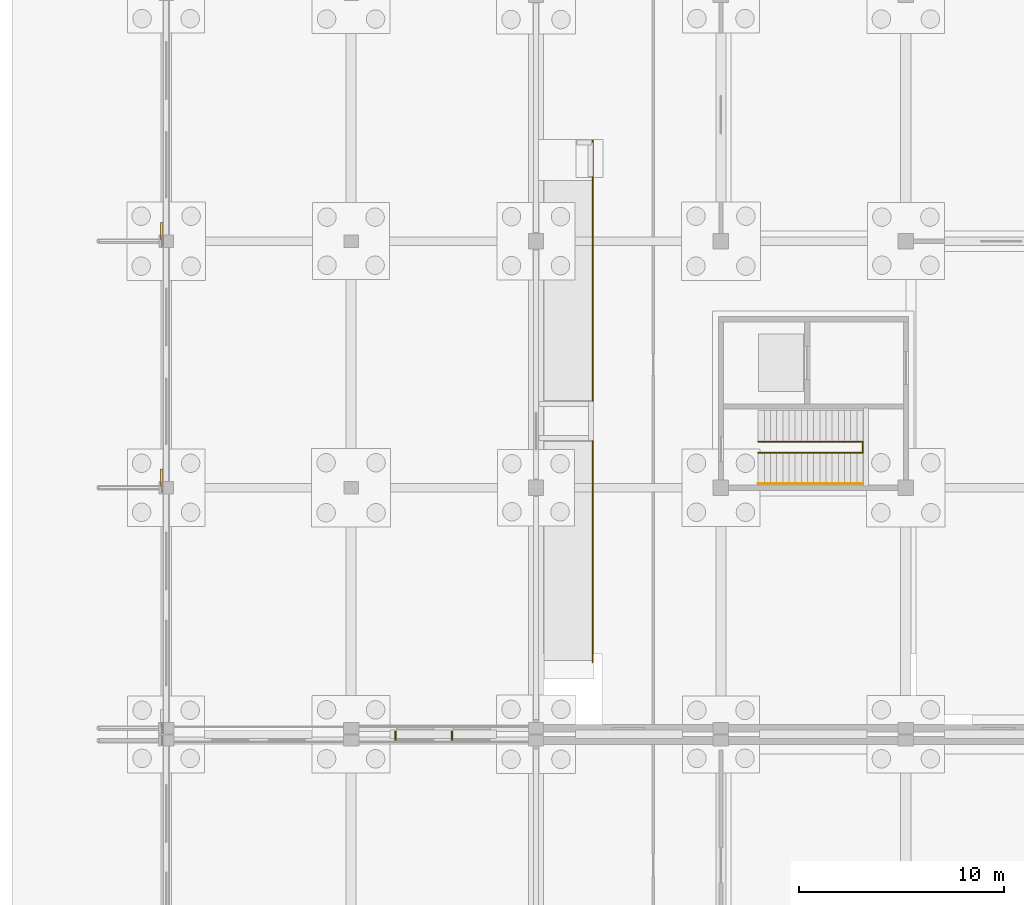
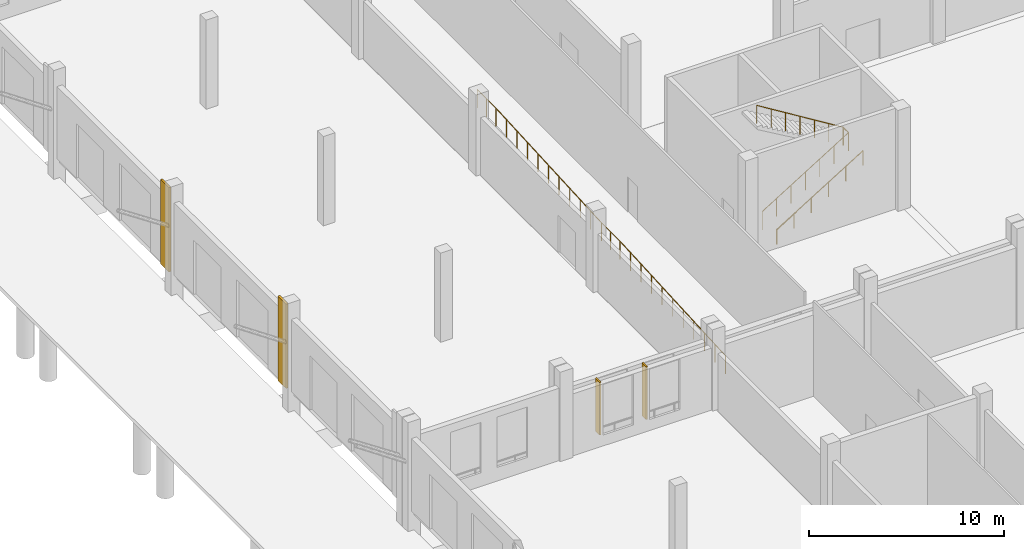
# One storey, part 85 of 99: 6 railings, 2 coverings, 2 shading devices.
"""IFC4 building model written with IfcOpenShell, lengths in metres."""

from ifc_helpers import new_model, si_unit, direction, frame, origin, origin_2d, place, context, subcontext, project, spatial, rectangle, circle, extrude, material, layer, layer_set, type_object, element, save


model = new_model("IFC4")

# Units and contexts
model_context = context("Model", 3, precision=1e-05, world=origin(), true_north=direction((0.0, 1.0)))
body_context = subcontext(model_context, "Body", "Model", "MODEL_VIEW")
ifc_project = project(units=[si_unit("LENGTHUNIT", "METRE"), si_unit("AREAUNIT", "SQUARE_METRE"), si_unit("VOLUMEUNIT", "CUBIC_METRE"), si_unit("PLANEANGLEUNIT", "RADIAN"), si_unit("MASSUNIT", "GRAM", prefix="KILO")], contexts=[model_context])

# Site, building, storey
site_placement = place(None, origin())
site = spatial("IfcSite", under=ifc_project, at=site_placement, CompositionType="ELEMENT")
building_placement = place(site_placement, origin())
building = spatial("IfcBuilding", under=site, at=building_placement, Name="Zacnel Wholesale Market", CompositionType="ELEMENT")
storey_placement = place(building_placement, origin())
storey = spatial("IfcBuildingStorey", under=building, at=storey_placement, Name="L01", CompositionType="ELEMENT", Elevation=0.0)

# Coverings
ifc_material_1 = material(Name="Honed Yucatan Maya cream limestone", Category="masonry")
ifc_layer = layer(ifc_material_1, 0.090087890625)
ifc_layer_set = layer_set([ifc_layer], Name="Honed Yucatan Maya cream limestone")
covering_type = type_object("IfcCoveringType", Name="COV-CLAD-FRET", PredefinedType="CLADDING", material=ifc_layer_set)
for number, where, z_axis, x_axis, name in (
    (1, (-0.2099609375, 108.47998046875, 1.2451171875), (0.0, 0.0, 1.0), (0.0, 1.0, 0.0), "Fluted Mayan-Deco limestone pilaster L01-0013"),
    (2, (-0.2099609375, 120.47998046875, 1.2451171875), (0.0, 0.0, 1.0), (0.0, 1.0, 0.0), "Fluted Mayan-Deco limestone pilaster L01-0014"),
):
    element("IfcCovering", number, at=place(storey_placement, frame(where, z_axis=z_axis, x_axis=x_axis)), inside=storey, type_object=covering_type, Name=name, PredefinedType="CLADDING", context=body_context, shape_type="SweptSolid", body=[
        extrude(rectangle(XDim=0.85009765625, YDim=0.1201171875, at=origin_2d()), origin(), (0.0, 0.0, 1.0), 5.27490234375),
    ])

# Railings
ifc_material_2 = material(Name="Galvanized steel", Category="steel")
railing_type_1 = type_object("IfcRailingType", Name="RAL-HANDRAIL-920", PredefinedType="HANDRAIL", material=ifc_material_2)
railing_1_placement = place(storey_placement, frame((28.81005859375, 108.2099609375, 0.0)))
element("IfcRailing", 3, at=railing_1_placement, inside=storey, type_object=railing_type_1, Name="Stair ST-12 wall handrail", PredefinedType="HANDRAIL", context=body_context, shape_type="SweptSolid", body=[
    extrude(circle(Radius=0.02099609375, at=origin_2d()), frame((0.0, 0.0, 0.89892578125), z_axis=(0.850798532938, 0.0, 0.525492013594), x_axis=(0.0, 1.0, 0.0)), (0.0, 0.0, 1.0), 5.994140625),
    extrude(circle(Radius=0.01806640625, at=origin_2d()), origin(), (0.0, 0.0, 1.0), 0.8779296875),
    extrude(circle(Radius=0.01806640625, at=origin_2d()), frame((1.02001953125, 0.0, 0.6298828125)), (0.0, 0.0, 1.0), 0.8779296875),
    extrude(circle(Radius=0.01806640625, at=origin_2d()), frame((2.0400390625, 0.0, 1.260009765625)), (0.0, 0.0, 1.0), 0.8779296875),
    extrude(circle(Radius=0.01806640625, at=origin_2d()), frame((3.059814453125, 0.0, 1.889892578125)), (0.0, 0.0, 1.0), 0.8779296875),
    extrude(circle(Radius=0.01806640625, at=origin_2d()), frame((4.079833984375, 0.0, 2.52001953125)), (0.0, 0.0, 1.0), 0.8779296875),
    extrude(circle(Radius=0.01806640625, at=origin_2d()), frame((5.099853515625, 0.0, 3.14990234375)), (0.0, 0.0, 1.0), 0.8779296875),
])
ifc_material_3 = material(Name="Galvanized steel", Category="steel")
railing_type_2 = type_object("IfcRailingType", Name="RAL-STAIR-GD1150", PredefinedType="BALUSTRADE", material=ifc_material_3)
railing_2_placement = place(storey_placement, frame((28.81005859375, 109.699951171875, 0.0)))
element("IfcRailing", 4, at=railing_2_placement, inside=storey, type_object=railing_type_2, Name="Stair balustrade INT-STAIR-ST-12-GDIN-1", PredefinedType="BALUSTRADE", context=body_context, shape_type="SweptSolid", body=[
    extrude(circle(Radius=0.02392578125, at=origin_2d()), frame((0.0, 0.0, 1.1259765625), z_axis=(0.850798532938, 0.0, 0.525492013594), x_axis=(0.0, 1.0, 0.0)), (0.0, 0.0, 1.0), 5.994140625),
    extrude(circle(Radius=0.02099609375, at=origin_2d()), origin(), (0.0, 0.0, 1.0), 1.101806640625),
    extrude(circle(Radius=0.02099609375, at=origin_2d()), frame((0.85009765625, 0.0, 0.52490234375)), (0.0, 0.0, 1.0), 1.101806640625),
    extrude(circle(Radius=0.02099609375, at=origin_2d()), frame((1.699951171875, 0.0, 1.050048828125)), (0.0, 0.0, 1.0), 1.101806640625),
    extrude(circle(Radius=0.02099609375, at=origin_2d()), frame((2.5498046875, 0.0, 1.574951171875)), (0.0, 0.0, 1.0), 1.101806640625),
    extrude(circle(Radius=0.02099609375, at=origin_2d()), frame((3.39990234375, 0.0, 2.099853515625)), (0.0, 0.0, 1.0), 1.101806640625),
    extrude(circle(Radius=0.02099609375, at=origin_2d()), frame((4.25, 0.0, 2.625)), (0.0, 0.0, 1.0), 1.101806640625),
    extrude(circle(Radius=0.02099609375, at=origin_2d()), frame((5.099853515625, 0.0, 3.14990234375)), (0.0, 0.0, 1.0), 1.101806640625),
])
railing_3_placement = place(storey_placement, frame((33.909912109375, 109.699951171875, 3.14990234375)))
element("IfcRailing", 5, at=railing_3_placement, inside=storey, type_object=railing_type_2, Name="Stair balustrade INT-STAIR-ST-12-GDIN-2", PredefinedType="BALUSTRADE", context=body_context, shape_type="SweptSolid", body=[
    extrude(circle(Radius=0.02392578125, at=origin_2d()), frame((0.0, 0.0, 1.1259765625), z_axis=(0.0, 1.0, 0.0), x_axis=(-1.0, 0.0, 0.0)), (0.0, 0.0, 1.0), 0.550048828125),
    extrude(circle(Radius=0.02099609375, at=origin_2d()), origin(), (0.0, 0.0, 1.0), 1.101806640625),
    extrude(circle(Radius=0.02099609375, at=origin_2d()), frame((0.0, 0.550048828125, 0.0)), (0.0, 0.0, 1.0), 1.101806640625),
])
railing_4_placement = place(storey_placement, frame((33.909912109375, 110.25, 3.14990234375)))
element("IfcRailing", 6, at=railing_4_placement, inside=storey, type_object=railing_type_2, Name="Stair balustrade INT-STAIR-ST-12-GDIN-3", PredefinedType="BALUSTRADE", context=body_context, shape_type="SweptSolid", body=[
    extrude(circle(Radius=0.02392578125, at=origin_2d()), frame((0.0, 0.0, 1.1259765625), z_axis=(-0.850780323153, 0.0, 0.525521495028), x_axis=(0.0, -1.0, 0.0)), (0.0, 0.0, 1.0), 5.994384765625),
    extrude(circle(Radius=0.02099609375, at=origin_2d()), origin(), (0.0, 0.0, 1.0), 1.101806640625),
    extrude(circle(Radius=0.02099609375, at=origin_2d()), frame((-0.85009765625, 0.0, 0.52490234375)), (0.0, 0.0, 1.0), 1.101806640625),
    extrude(circle(Radius=0.02099609375, at=origin_2d()), frame((-1.699951171875, 0.0, 1.050048828125)), (0.0, 0.0, 1.0), 1.101806640625),
    extrude(circle(Radius=0.02099609375, at=origin_2d()), frame((-2.5498046875, 0.0, 1.5751953125)), (0.0, 0.0, 1.0), 1.101806640625),
    extrude(circle(Radius=0.02099609375, at=origin_2d()), frame((-3.39990234375, 0.0, 2.10009765625)), (0.0, 0.0, 1.0), 1.101806640625),
    extrude(circle(Radius=0.02099609375, at=origin_2d()), frame((-4.25, 0.0, 2.625)), (0.0, 0.0, 1.0), 1.101806640625),
    extrude(circle(Radius=0.02099609375, at=origin_2d()), frame((-5.099853515625, 0.0, 3.150146484375)), (0.0, 0.0, 1.0), 1.101806640625),
])
railing_5_placement = place(storey_placement, frame((20.75, 99.5, 0.0)))
element("IfcRailing", 7, at=railing_5_placement, inside=storey, type_object=railing_type_2, Name="Accessible ramp RP-01 (RMP-DOCK-N) guard 1", PredefinedType="BALUSTRADE", context=body_context, shape_type="SweptSolid", body=[
    extrude(circle(Radius=0.02392578125, at=origin_2d()), frame((0.0, 0.0, 1.1259765625), z_axis=(0.0, 0.998395448202, 0.05662622193), x_axis=(-1.0, 0.0, 0.0)), (0.0, 0.0, 1.0), 10.8173828125),
    extrude(circle(Radius=0.02392578125, at=origin_2d()), frame((0.0, 10.800048828125, 1.73828125), z_axis=(0.0, 1.0, 0.0), x_axis=(-1.0, 0.0, 0.0)), (0.0, 0.0, 1.0), 1.89990234375),
    extrude(circle(Radius=0.02099609375, at=origin_2d()), origin(), (0.0, 0.0, 1.0), 1.101806640625),
    extrude(circle(Radius=0.02099609375, at=origin_2d()), frame((0.0, 1.080078125, 0.061279296875)), (0.0, 0.0, 1.0), 1.101806640625),
    extrude(circle(Radius=0.02099609375, at=origin_2d()), frame((0.0, 2.159912109375, 0.12255859375)), (0.0, 0.0, 1.0), 1.101806640625),
    extrude(circle(Radius=0.02099609375, at=origin_2d()), frame((0.0, 3.239990234375, 0.183837890625)), (0.0, 0.0, 1.0), 1.101806640625),
    extrude(circle(Radius=0.02099609375, at=origin_2d()), frame((0.0, 4.320068359375, 0.2451171875)), (0.0, 0.0, 1.0), 1.101806640625),
    extrude(circle(Radius=0.02099609375, at=origin_2d()), frame((0.0, 5.39990234375, 0.30615234375)), (0.0, 0.0, 1.0), 1.101806640625),
    extrude(circle(Radius=0.02099609375, at=origin_2d()), frame((0.0, 6.47998046875, 0.367431640625)), (0.0, 0.0, 1.0), 1.101806640625),
    extrude(circle(Radius=0.02099609375, at=origin_2d()), frame((0.0, 7.56005859375, 0.4287109375)), (0.0, 0.0, 1.0), 1.101806640625),
    extrude(circle(Radius=0.02099609375, at=origin_2d()), frame((0.0, 8.64013671875, 0.489990234375)), (0.0, 0.0, 1.0), 1.101806640625),
    extrude(circle(Radius=0.02099609375, at=origin_2d()), frame((0.0, 9.719970703125, 0.55126953125)), (0.0, 0.0, 1.0), 1.101806640625),
    extrude(circle(Radius=0.02099609375, at=origin_2d()), frame((0.0, 10.800048828125, 0.612548828125)), (0.0, 0.0, 1.0), 1.101806640625),
    extrude(circle(Radius=0.02099609375, at=origin_2d()), frame((0.0, 11.75, 0.612548828125)), (0.0, 0.0, 1.0), 1.101806640625),
    extrude(circle(Radius=0.02099609375, at=origin_2d()), frame((0.0, 12.699951171875, 0.612548828125)), (0.0, 0.0, 1.0), 1.101806640625),
])
railing_6_placement = place(storey_placement, frame((20.75, 112.199951171875, 0.612548828125)))
element("IfcRailing", 8, at=railing_6_placement, inside=storey, type_object=railing_type_2, Name="Accessible ramp RP-01 (RMP-DOCK-N) guard 2", PredefinedType="BALUSTRADE", context=body_context, shape_type="SweptSolid", body=[
    extrude(circle(Radius=0.02392578125, at=origin_2d()), frame((0.0, 0.0, 1.1259765625), z_axis=(0.0, 0.998395448202, 0.05662622193), x_axis=(-1.0, 0.0, 0.0)), (0.0, 0.0, 1.0), 10.8173828125),
    extrude(circle(Radius=0.02392578125, at=origin_2d()), frame((0.0, 10.800048828125, 1.73828125), z_axis=(0.0, 1.0, 0.0), x_axis=(-1.0, 0.0, 0.0)), (0.0, 0.0, 1.0), 1.89990234375),
    extrude(circle(Radius=0.02099609375, at=origin_2d()), origin(), (0.0, 0.0, 1.0), 1.101806640625),
    extrude(circle(Radius=0.02099609375, at=origin_2d()), frame((0.0, 1.080078125, 0.061279296875)), (0.0, 0.0, 1.0), 1.101806640625),
    extrude(circle(Radius=0.02099609375, at=origin_2d()), frame((0.0, 2.159912109375, 0.12255859375)), (0.0, 0.0, 1.0), 1.101806640625),
    extrude(circle(Radius=0.02099609375, at=origin_2d()), frame((0.0, 3.239990234375, 0.183837890625)), (0.0, 0.0, 1.0), 1.101806640625),
    extrude(circle(Radius=0.02099609375, at=origin_2d()), frame((0.0, 4.320068359375, 0.2451171875)), (0.0, 0.0, 1.0), 1.101806640625),
    extrude(circle(Radius=0.02099609375, at=origin_2d()), frame((0.0, 5.39990234375, 0.30615234375)), (0.0, 0.0, 1.0), 1.101806640625),
    extrude(circle(Radius=0.02099609375, at=origin_2d()), frame((0.0, 6.47998046875, 0.367431640625)), (0.0, 0.0, 1.0), 1.101806640625),
    extrude(circle(Radius=0.02099609375, at=origin_2d()), frame((0.0, 7.56005859375, 0.4287109375)), (0.0, 0.0, 1.0), 1.101806640625),
    extrude(circle(Radius=0.02099609375, at=origin_2d()), frame((0.0, 8.64013671875, 0.489990234375)), (0.0, 0.0, 1.0), 1.101806640625),
    extrude(circle(Radius=0.02099609375, at=origin_2d()), frame((0.0, 9.719970703125, 0.55126953125)), (0.0, 0.0, 1.0), 1.101806640625),
    extrude(circle(Radius=0.02099609375, at=origin_2d()), frame((0.0, 10.800048828125, 0.612548828125)), (0.0, 0.0, 1.0), 1.101806640625),
    extrude(circle(Radius=0.02099609375, at=origin_2d()), frame((0.0, 11.75, 0.612548828125)), (0.0, 0.0, 1.0), 1.101806640625),
    extrude(circle(Radius=0.02099609375, at=origin_2d()), frame((0.0, 12.699951171875, 0.612548828125)), (0.0, 0.0, 1.0), 1.101806640625),
])

# Shading devices
ifc_material_4 = material(Name="Honed Yucatan Maya cream limestone", Category="masonry")
shading_device_type = type_object("IfcShadingDeviceType", Name="SHD-FIN-V450", PredefinedType="USERDEFINED", material=ifc_material_4)
for number, where, z_axis, x_axis, name in (
    (9, (11.1650390625, 95.929931640625, 1.8349609375), (0.0, 0.0, 1.0), (1.0, 0.0, 0.0), "Limestone sunshade fin 0005"),
    (10, (13.9150390625, 95.929931640625, 1.8349609375), (0.0, 0.0, 1.0), (1.0, 0.0, 0.0), "Limestone sunshade fin 0006"),
):
    element("IfcShadingDevice", number, at=place(storey_placement, frame(where, z_axis=z_axis, x_axis=x_axis)), inside=storey, type_object=shading_device_type, Name=name, ObjectType="SUNSHADE", PredefinedType="USERDEFINED", context=body_context, shape_type="SweptSolid", body=[
        extrude(rectangle(XDim=0.080078125, YDim=0.43994140625, at=origin_2d()), origin(), (0.0, 0.0, 1.0), 3.300048828125),
    ])

save(model, "model.ifc")
